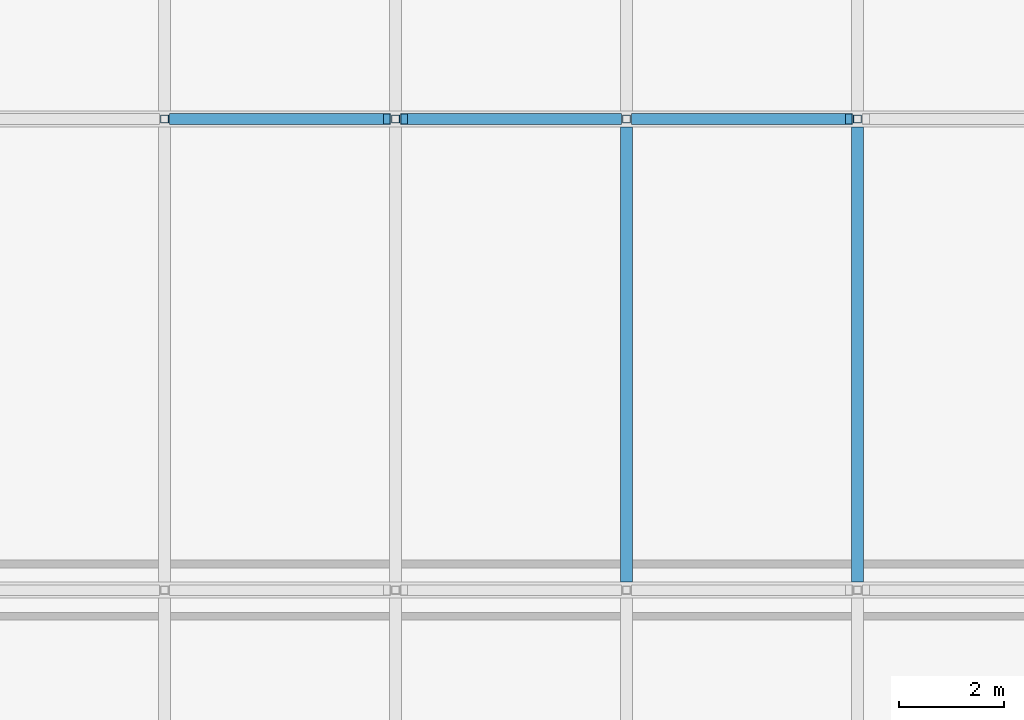
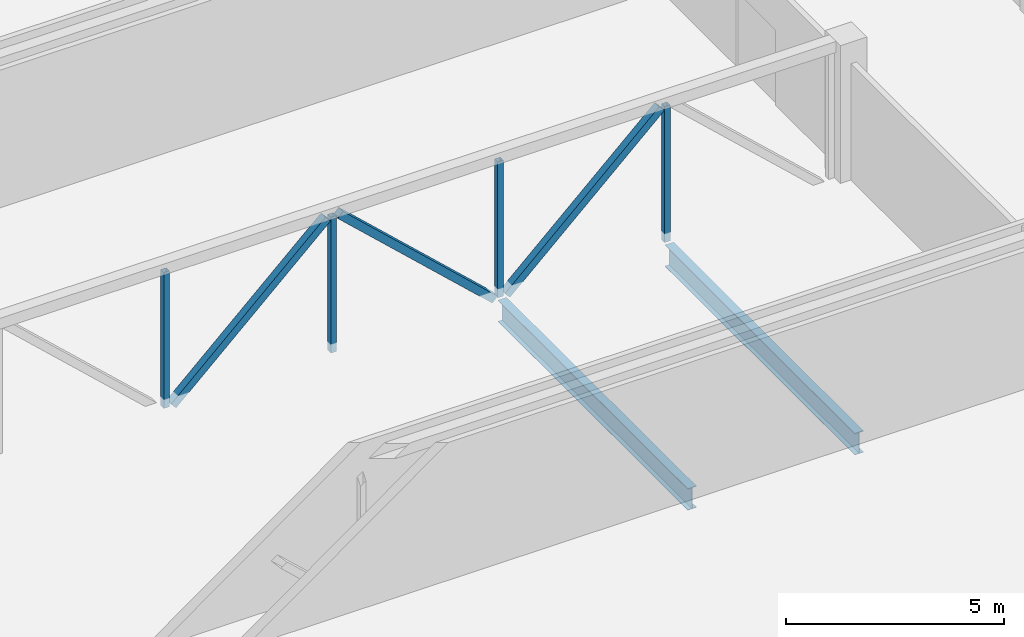
# One storey, part 10 of 42: 7 members, 2 beams.
"""IFC4 building model written with IfcOpenShell, lengths in metres."""

from ifc_helpers import new_model, si_unit, direction, frame, origin, origin_2d, place, context, subcontext, project, spatial, hollow_rectangle, i_section, extrude, material, material_profile, profile_set, type_object, element, save


model = new_model("IFC4")

# Units and contexts
model_context = context("Model", 3, precision=1e-05, world=origin(), true_north=direction((0.0, 1.0)))
body_context = subcontext(model_context, "Body", "Model", "MODEL_VIEW")
ifc_project = project(units=[si_unit("LENGTHUNIT", "METRE"), si_unit("AREAUNIT", "SQUARE_METRE"), si_unit("VOLUMEUNIT", "CUBIC_METRE"), si_unit("PLANEANGLEUNIT", "RADIAN"), si_unit("MASSUNIT", "GRAM", prefix="KILO")], contexts=[model_context])

# Site, building, storey
site_placement = place(None, origin())
site = spatial("IfcSite", under=ifc_project, at=site_placement, CompositionType="ELEMENT")
building_placement = place(site_placement, origin())
building = spatial("IfcBuilding", under=site, at=building_placement, Name="Corbel Stack Research Tower", CompositionType="ELEMENT")
storey_placement = place(building_placement, frame((0.0, 0.0, 11.300048828125)))
storey = spatial("IfcBuildingStorey", under=building, at=storey_placement, Name="L02", CompositionType="ELEMENT", Elevation=11.300048828125)

# Beams
ifc_material_1 = material(Name="Steel S355", Category="steel")
ifc_material_profile_1 = material_profile(ifc_material_1, i_section(OverallWidth=0.22802734375, OverallDepth=0.60302734375, WebThickness=0.010986328125, FlangeThickness=0.014892578125, at=origin_2d()), Name="W24x68")
ifc_profile_set_1 = profile_set([ifc_material_profile_1], Name="Steel S355")
beam_type = type_object("IfcBeamType", Name="HB2 steel beam W24x68", PredefinedType="BEAM", material=ifc_profile_set_1)
for number, where, z_axis, x_axis, name in (
    (1, (77.77490234375, -8.847412109375, -0.551513671875), (0.0, 1.0, 0.0), (-1.0, 0.0, 0.0), "Steel floor beam L02 bay 2 line 6"),
    (2, (82.1875, -8.847412109375, -0.551513671875), (0.0, 1.0, 0.0), (-1.0, 0.0, 0.0), "Steel floor beam L02 bay 2 line 7"),
):
    element("IfcBeam", number, at=place(storey_placement, frame(where, z_axis=z_axis, x_axis=x_axis)), inside=storey, type_object=beam_type, Name=name, PredefinedType="BEAM", context=body_context, shape_type="SweptSolid", body=[
        extrude(i_section(OverallWidth=0.22802734375, OverallDepth=0.60302734375, WebThickness=0.010986328125, FlangeThickness=0.014892578125, at=origin_2d()), origin(), (0.0, 0.0, 1.0), 8.69482421875),
    ])

# Members
ifc_material_2 = material(Name="Steel S355", Category="steel")
ifc_material_profile_2 = material_profile(ifc_material_2, hollow_rectangle(XDim=0.202880859375, YDim=0.202880859375, WallThickness=0.0087890625, at=origin_2d()), Name="HSS8x8x3/8")
ifc_profile_set_2 = profile_set([ifc_material_profile_2], Name="Steel S355")
member_type_1 = type_object("IfcMemberType", Name="HT2 truss diagonal HSS8x8x3/8", PredefinedType="BRACE", material=ifc_profile_set_2)
member_placement = place(storey_placement, frame((69.114013671875, 0.0, -0.25), z_axis=(0.73259694856, 0.0, 0.680662699845), x_axis=(0.0, 1.0, 0.0)))
element("IfcMember", 3, at=member_placement, inside=storey, type_object=member_type_1, Name="Truss TA2 diagonal 5", PredefinedType="BRACE", context=body_context, shape_type="SweptSolid", body=[
    extrude(hollow_rectangle(XDim=0.202880859375, YDim=0.202880859375, WallThickness=0.0087890625, at=origin_2d()), origin(), (0.0, 0.0, 1.0), 5.575439453125),
])
for number, where, z_axis, x_axis, name in (
    (4, (73.526611328125, 0.0, 3.544921875), (0.732576659872, 0.0, -0.680684535898), (0.0, 1.0, 0.0), "Truss TA2 diagonal 6"),
    (5, (77.939208984375, 0.0, -0.25), (0.732576659872, 0.0, 0.680684535898), (0.0, 1.0, 0.0), "Truss TA2 diagonal 7"),
):
    element("IfcMember", number, at=place(storey_placement, frame(where, z_axis=z_axis, x_axis=x_axis)), inside=storey, type_object=member_type_1, Name=name, PredefinedType="BRACE", context=body_context, shape_type="SweptSolid", body=[
        extrude(hollow_rectangle(XDim=0.202880859375, YDim=0.202880859375, WallThickness=0.0087890625, at=origin_2d()), origin(), (0.0, 0.0, 1.0), 5.5751953125),
    ])
ifc_material_3 = material(Name="Steel S355", Category="steel")
ifc_material_profile_3 = material_profile(ifc_material_3, hollow_rectangle(XDim=0.152099609375, YDim=0.152099609375, WallThickness=0.005859375, at=origin_2d()), Name="HSS6x6x1/4")
ifc_profile_set_3 = profile_set([ifc_material_profile_3], Name="Steel S355")
member_type_2 = type_object("IfcMemberType", Name="HT3 truss post HSS6x6x1/4", PredefinedType="POST", material=ifc_profile_set_3)
for number, where, z_axis, x_axis, name in (
    (6, (68.949951171875, 0.0, -0.25), (0.0, 0.0, 1.0), (1.0, 0.0, 0.0), "Truss TA2 post 5"),
    (7, (73.362548828125, 0.0, -0.25), (0.0, 0.0, 1.0), (1.0, 0.0, 0.0), "Truss TA2 post 6"),
    (8, (77.77490234375, 0.0, -0.25), (0.0, 0.0, 1.0), (1.0, 0.0, 0.0), "Truss TA2 post 7"),
    (9, (82.1875, 0.0, -0.25), (0.0, 0.0, 1.0), (1.0, 0.0, 0.0), "Truss TA2 post 8"),
):
    element("IfcMember", number, at=place(storey_placement, frame(where, z_axis=z_axis, x_axis=x_axis)), inside=storey, type_object=member_type_2, Name=name, PredefinedType="POST", context=body_context, shape_type="SweptSolid", body=[
        extrude(hollow_rectangle(XDim=0.152099609375, YDim=0.152099609375, WallThickness=0.005859375, at=origin_2d()), origin(), (0.0, 0.0, 1.0), 3.794921875),
    ])

save(model, "model.ifc")
